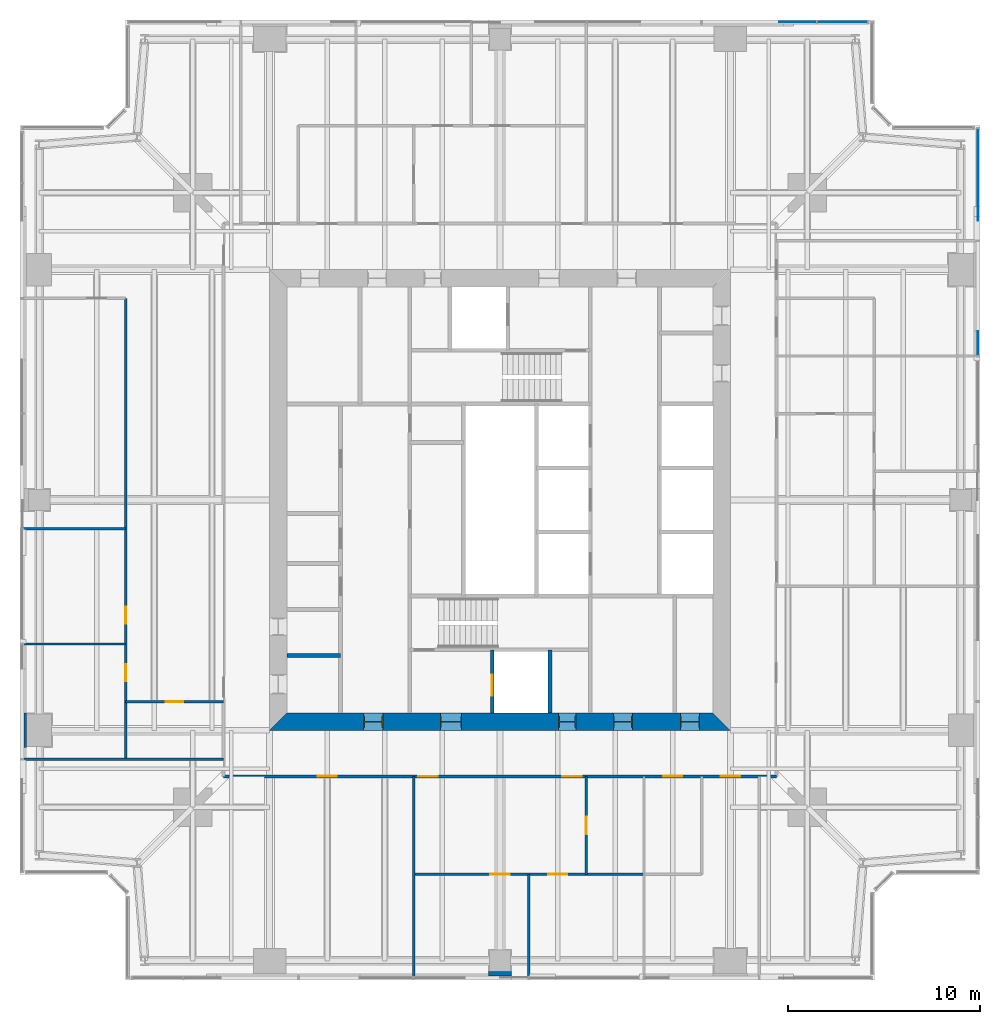
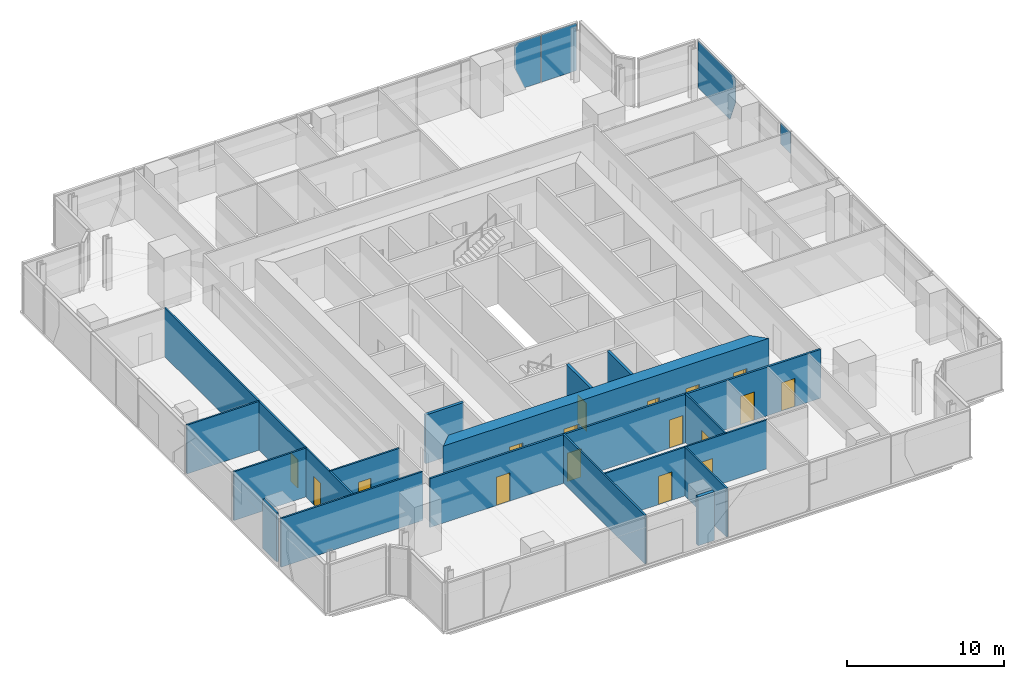
# One storey, part 9 of 15: 17 doors, 16 walls, 4 plates, 17 openings, 2 elements without a shape of their own.
"""IFC4 building model written with IfcOpenShell, lengths in metres."""

from ifc_helpers import new_model, si_unit, direction, frame, frame_2d, origin, origin_2d, place, context, subcontext, project, spatial, polyline, rectangle, outline, extrude, material, layer, layer_set, type_object, element, fill, aggregate, save


model = new_model("IFC4")

# Units and contexts
model_context = context("Model", 3, precision=1e-05, world=origin(), true_north=direction((0.0, 1.0)))
body_context = subcontext(model_context, "Body", "Model", "MODEL_VIEW")
ifc_project = project(units=[si_unit("LENGTHUNIT", "METRE"), si_unit("AREAUNIT", "SQUARE_METRE"), si_unit("VOLUMEUNIT", "CUBIC_METRE"), si_unit("PLANEANGLEUNIT", "RADIAN"), si_unit("MASSUNIT", "GRAM", prefix="KILO")], contexts=[model_context])

# Site, building, storey
site_placement = place(None, origin())
site = spatial("IfcSite", under=ifc_project, at=site_placement, CompositionType="ELEMENT")
building_placement = place(site_placement, origin())
building = spatial("IfcBuilding", under=site, at=building_placement, Name="Fenwick Lantern Interchange", CompositionType="ELEMENT")
storey_placement = place(building_placement, frame((0.0, 0.0, 229.800048828125)))
storey = spatial("IfcBuildingStorey", under=building, at=storey_placement, Name="L54", CompositionType="ELEMENT", Elevation=229.800048828125)

# Curtain wall, plates
ifc_material_1 = material(Name="Aluminium curtain wall frame", Category="aluminium")
curtain_wall_type = type_object("IfcCurtainWallType", Name="OFFICE CURTAIN WALL", PredefinedType="USERDEFINED", material=ifc_material_1)
curtain_wall_1_placement = place(storey_placement, origin())
curtain_wall_1 = element("IfcCurtainWall", 1, at=curtain_wall_1_placement, inside=storey, type_object=curtain_wall_type, Name="Office curtain wall 05", ObjectType="OFFICE CURTAIN WALL", PredefinedType="USERDEFINED")
ifc_material_2 = material(Name="Vision glass, clear low-iron double glazed", Category="glass")
ifc_layer_1 = layer(ifc_material_2, 0.031982421875)
ifc_layer_set_1 = layer_set([ifc_layer_1], Name="OFFICE CURTAIN WALL PANEL 32")
plate_type = type_object("IfcPlateType", Name="OFFICE CURTAIN WALL PANEL 32", PredefinedType="CURTAIN_PANEL", material=ifc_layer_set_1)
plate_1_placement = place(storey_placement, frame((49.89990234375, 5.60009765625, 2.02587890625), z_axis=(0.0, 0.0, 1.0), x_axis=(0.0, 1.0, 0.0)))
plate_1 = element("IfcPlate", 2, at=plate_1_placement, type_object=plate_type, Name="L54/CW/05/P05a", PredefinedType="CURTAIN_PANEL", context=body_context, shape_type="SweptSolid", body=[
    extrude(outline(polyline([(26.9326171875, 0.0), (28.197509765625, 0.0), (28.197509765625, 1.674072265625), (26.9326171875, 1.674072265625), (26.9326171875, 0.0)])), frame((0.0, 0.01611328125, 0.0), z_axis=(0.0, -1.0, 0.0), x_axis=(1.0, 0.0, 0.0)), (0.0, 0.0, 1.0), 0.031982421875),
])
plate_2_placement = place(storey_placement, frame((49.89990234375, 5.60009765625, 0.0), z_axis=(0.0, 0.0, 1.0), x_axis=(0.0, 1.0, 0.0)))
plate_2 = element("IfcPlate", 3, at=plate_2_placement, type_object=plate_type, Name="L54/CW/05/P06a", PredefinedType="CURTAIN_PANEL", context=body_context, shape_type="SweptSolid", body=[
    extrude(outline(polyline([(34.6865234375, 0.0), (38.735107421875, 0.0), (38.735107421875, 3.699951171875), (34.16259765625, 3.699951171875), (33.945556640625, 3.463134765625), (33.945556640625, 1.810791015625), (34.6865234375, 0.0)])), frame((0.0, 0.01611328125, 0.0), z_axis=(0.0, -1.0, 0.0), x_axis=(1.0, 0.0, 0.0)), (0.0, 0.0, 1.0), 0.031982421875),
])
aggregate(curtain_wall_1, [plate_1, plate_2])

curtain_wall_2_placement = place(storey_placement, origin())
curtain_wall_2 = element("IfcCurtainWall", 4, at=curtain_wall_2_placement, inside=storey, type_object=curtain_wall_type, Name="Office curtain wall 09", ObjectType="OFFICE CURTAIN WALL", PredefinedType="USERDEFINED")
plate_3_placement = place(storey_placement, frame((42.833740234375, 49.89990234375, 0.0), z_axis=(0.0, 0.0, 1.0), x_axis=(-1.0, 0.0, 0.0)))
plate_3 = element("IfcPlate", 5, at=plate_3_placement, type_object=plate_type, Name="L54/CW/09/P00", PredefinedType="CURTAIN_PANEL", context=body_context, shape_type="SweptSolid", body=[
    extrude(rectangle(XDim=2.6025390625, YDim=0.031982421875, at=origin_2d()), origin(), (0.0, 0.0, 1.0), 3.699951171875),
])
plate_4_placement = place(storey_placement, frame((44.39990234375, 49.89990234375, 0.0), z_axis=(0.0, 0.0, 1.0), x_axis=(-1.0, 0.0, 0.0)))
plate_4 = element("IfcPlate", 6, at=plate_4_placement, type_object=plate_type, Name="L54/CW/09/P01a", PredefinedType="CURTAIN_PANEL", context=body_context, shape_type="SweptSolid", body=[
    extrude(outline(polyline([(2.9326171875, 0.0), (4.11328125, 0.0), (4.8544921875, 1.810791015625), (4.8544921875, 3.463134765625), (4.637451171875, 3.699951171875), (2.9326171875, 3.699951171875), (2.9326171875, 0.0)])), frame((0.0, 0.01611328125, 0.0), z_axis=(0.0, -1.0, 0.0), x_axis=(1.0, 0.0, 0.0)), (0.0, 0.0, 1.0), 0.031982421875),
])
aggregate(curtain_wall_2, [plate_3, plate_4])

# Walls
ifc_material_3 = material(Name="Fire-rated gypsum board encasement on steel studs, 2 hour", Category="steel")
ifc_layer_2 = layer(ifc_material_3, 1.199951171875)
ifc_layer_set_2 = layer_set([ifc_layer_2], Name="COLUMN PIER 1200")
wall_type_1 = type_object("IfcWallType", Name="COLUMN PIER 1200", PredefinedType="PARTITIONING", material=ifc_layer_set_2)
wall_1_placement = place(storey_placement, frame((25.0, 0.199951171875, 0.0), z_axis=(0.0, 0.0, 1.0), x_axis=(0.0, 1.0, 0.0)))
element("IfcWall", 7, at=wall_1_placement, inside=storey, type_object=wall_type_1, Name="L54/W/PIER/CS3", PredefinedType="PARTITIONING", context=body_context, shape_type="SweptSolid", body=[
    extrude(rectangle(XDim=0.25, YDim=1.199951171875, at=frame_2d((0.125, 0.0))), origin(), (0.0, 0.0, 1.0), 3.800048828125),
])
ifc_layer_3 = layer(ifc_material_3, 1.800048828125)
ifc_layer_set_3 = layer_set([ifc_layer_3], Name="COLUMN PIER 1800")
wall_type_2 = type_object("IfcWallType", Name="COLUMN PIER 1800", PredefinedType="PARTITIONING", material=ifc_layer_set_3)
wall_2_placement = place(storey_placement, frame((0.199951171875, 13.0, 0.0), z_axis=(0.0, 0.0, 1.0), x_axis=(1.0, 0.0, 0.0)))
element("IfcWall", 8, at=wall_2_placement, inside=storey, type_object=wall_type_2, Name="L54/W/PIER/CW4", PredefinedType="PARTITIONING", context=body_context, shape_type="SweptSolid", body=[
    extrude(rectangle(XDim=0.150146484375, YDim=1.800048828125, at=frame_2d((0.0751953125, 0.0))), origin(), (0.0, 0.0, 1.0), 3.800048828125),
])

# Wall, opening, door
ifc_material_4 = material(Name="Concrete masonry ASTM C90 Grade N", Category="masonry")
ifc_layer_4 = layer(ifc_material_4, 0.199951171875)
ifc_layer_set_4 = layer_set([ifc_layer_4], Name="Concrete masonry ASTM C90 Grade N")
wall_type_3 = type_object("IfcWallType", Name="CORE PARTITION 200", PredefinedType="PARTITIONING", material=ifc_layer_set_4)
wall_3_placement = place(storey_placement, frame((24.60009765625, 13.89990234375, 0.0), z_axis=(0.0, 0.0, 1.0), x_axis=(0.0, 1.0, 0.0)))
wall_3 = element("IfcWall", 9, at=wall_3_placement, inside=storey, type_object=wall_type_3, Name="L54/W/CORES/h1", PredefinedType="PARTITIONING", context=body_context, shape_type="SweptSolid", body=[
    extrude(rectangle(XDim=3.300048828125, YDim=0.199951171875, at=frame_2d((1.64990234375, 0.0))), origin(), (0.0, 0.0, 1.0), 3.800048828125),
])
opening_1_placement = place(wall_3_placement, frame((0.89990234375, 0.0, 0.0)))
opening_1 = element("IfcOpeningElement", 10, at=opening_1_placement, cuts=wall_3, Name="Opening LD-FL1", PredefinedType="OPENING", context=body_context, shape_type="SweptSolid", body=[
    extrude(rectangle(XDim=1.10009765625, YDim=2.199951171875, at=frame_2d((0.550048828125, 1.10009765625))), frame((0.0, 0.10986328125, 0.0), z_axis=(0.0, -1.0, 0.0), x_axis=(1.0, 0.0, 0.0)), (0.0, 0.0, 1.0), 0.219970703125),
])
ifc_material_5 = material(Name="Steel door and frame", Category="steel")
door_type_1 = type_object("IfcDoorType", Name="LIFT LANDING DOOR 1100 X 2200", OperationType="DOUBLE_DOOR_SLIDING", PredefinedType="DOOR", material=ifc_material_5)
door_1_placement = place(opening_1_placement, origin())
door_1 = element("IfcDoor", 11, at=door_1_placement, inside=storey, type_object=door_type_1, Name="Lift landing door FL1", OperationType="DOUBLE_DOOR_SLIDING", OverallHeight=2.199951171875, OverallWidth=1.10009765625, PredefinedType="DOOR", context=body_context, shape_type="SweptSolid", body=[
    extrude(rectangle(XDim=1.10009765625, YDim=2.199951171875, at=frame_2d((0.550048828125, 1.10009765625))), frame((0.0, 0.02490234375, 0.0), z_axis=(0.0, -1.0, 0.0), x_axis=(1.0, 0.0, 0.0)), (0.0, 0.0, 1.0), 0.050048828125),
])
fill(opening_1, door_1)

# Walls
wall_4_placement = place(storey_placement, frame((27.60009765625, 13.89990234375, 0.0), z_axis=(0.0, 0.0, 1.0), x_axis=(0.0, 1.0, 0.0)))
element("IfcWall", 12, at=wall_4_placement, inside=storey, type_object=wall_type_3, Name="L54/W/CORES/h2", PredefinedType="PARTITIONING", context=body_context, shape_type="SweptSolid", body=[
    extrude(rectangle(XDim=3.300048828125, YDim=0.199951171875, at=frame_2d((1.64990234375, 0.0))), origin(), (0.0, 0.0, 1.0), 3.800048828125),
])
wall_5_placement = place(storey_placement, frame((13.89990234375, 16.89990234375, 0.0), z_axis=(0.0, 0.0, 1.0), x_axis=(1.0, 0.0, 0.0)))
element("IfcWall", 13, at=wall_5_placement, inside=storey, type_object=wall_type_3, Name="L54/W/CORES/p1", PredefinedType="PARTITIONING", context=body_context, shape_type="SweptSolid", body=[
    extrude(rectangle(XDim=2.800048828125, YDim=0.199951171875, at=frame_2d((1.39990234375, 0.0))), origin(), (0.0, 0.0, 1.0), 3.800048828125),
])

# Wall, openings, doors
ifc_material_6 = material(Name="Concrete f'c 70 MPa", Category="concrete")
ifc_layer_5 = layer(ifc_material_6, 0.89990234375)
ifc_layer_set_5 = layer_set([ifc_layer_5], Name="CORE WALL 900")
wall_type_4 = type_object("IfcWallType", Name="CORE WALL 900", PredefinedType="SHEAR", material=ifc_layer_set_5)
wall_6_placement = place(storey_placement, frame((13.0, 13.449951171875, 0.0), z_axis=(0.0, 0.0, 1.0), x_axis=(1.0, 0.0, 0.0)))
wall_6 = element("IfcWall", 14, at=wall_6_placement, inside=storey, type_object=wall_type_4, Name="L54/CORE/S", PredefinedType="SHEAR", context=body_context, shape_type="SweptSolid", body=[
    extrude(outline(polyline([(0.0, -0.449951171875), (24.0, -0.449951171875), (23.10009765625, 0.449951171875), (0.89990234375, 0.449951171875), (0.0, -0.449951171875)])), origin(), (0.0, 0.0, 1.0), 4.0),
])
opening_2_placement = place(wall_6_placement, frame((4.89990234375, 0.0, 0.0)))
opening_2 = element("IfcOpeningElement", 15, at=opening_2_placement, cuts=wall_6, Name="Opening L54-D001", PredefinedType="OPENING", context=body_context, shape_type="SweptSolid", body=[
    extrude(rectangle(XDim=1.0, YDim=2.199951171875, at=frame_2d((0.5, 1.10009765625))), frame((0.0, 0.4599609375, 0.0), z_axis=(0.0, -1.0, 0.0), x_axis=(1.0, 0.0, 0.0)), (0.0, 0.0, 1.0), 0.919921875),
])
opening_3_placement = place(wall_6_placement, frame((8.89990234375, 0.0, 0.0)))
opening_3 = element("IfcOpeningElement", 16, at=opening_3_placement, cuts=wall_6, Name="Opening L54-D002", PredefinedType="OPENING", context=body_context, shape_type="SweptSolid", body=[
    extrude(rectangle(XDim=1.10009765625, YDim=2.199951171875, at=frame_2d((0.550048828125, 1.10009765625))), frame((0.0, 0.4599609375, 0.0), z_axis=(0.0, -1.0, 0.0), x_axis=(1.0, 0.0, 0.0)), (0.0, 0.0, 1.0), 0.919921875),
])
opening_4_placement = place(wall_6_placement, frame((15.050048828125, 0.0, 0.0)))
opening_4 = element("IfcOpeningElement", 17, at=opening_4_placement, cuts=wall_6, Name="Opening L54-D004", PredefinedType="OPENING", context=body_context, shape_type="SweptSolid", body=[
    extrude(rectangle(XDim=0.89990234375, YDim=2.199951171875, at=frame_2d((0.449951171875, 1.10009765625))), frame((0.0, 0.4599609375, 0.0), z_axis=(0.0, -1.0, 0.0), x_axis=(1.0, 0.0, 0.0)), (0.0, 0.0, 1.0), 0.919921875),
])
opening_5_placement = place(wall_6_placement, frame((17.89990234375, 0.0, 0.0)))
opening_5 = element("IfcOpeningElement", 18, at=opening_5_placement, cuts=wall_6, Name="Opening L54-D005", PredefinedType="OPENING", context=body_context, shape_type="SweptSolid", body=[
    extrude(rectangle(XDim=1.0, YDim=2.199951171875, at=frame_2d((0.5, 1.10009765625))), frame((0.0, 0.4599609375, 0.0), z_axis=(0.0, -1.0, 0.0), x_axis=(1.0, 0.0, 0.0)), (0.0, 0.0, 1.0), 0.919921875),
])
opening_6_placement = place(wall_6_placement, frame((21.39990234375, 0.0, 0.0)))
opening_6 = element("IfcOpeningElement", 19, at=opening_6_placement, cuts=wall_6, Name="Opening L54-D006", PredefinedType="OPENING", context=body_context, shape_type="SweptSolid", body=[
    extrude(rectangle(XDim=1.0, YDim=2.199951171875, at=frame_2d((0.5, 1.10009765625))), frame((0.0, 0.4599609375, 0.0), z_axis=(0.0, -1.0, 0.0), x_axis=(1.0, 0.0, 0.0)), (0.0, 0.0, 1.0), 0.919921875),
])
door_type_2 = type_object("IfcDoorType", Name="CORE LOBBY DOOR 1000 X 2200", OperationType="SINGLE_SWING_LEFT", PredefinedType="DOOR", material=ifc_material_5)
door_2_placement = place(opening_2_placement, origin())
door_2 = element("IfcDoor", 20, at=door_2_placement, inside=storey, type_object=door_type_2, Name="Core lobby door", OperationType="SINGLE_SWING_LEFT", OverallHeight=2.199951171875, OverallWidth=1.0, PredefinedType="DOOR", context=body_context, shape_type="SweptSolid", body=[
    extrude(rectangle(XDim=1.0, YDim=2.199951171875, at=frame_2d((0.5, 1.10009765625))), frame((0.0, 0.02490234375, 0.0), z_axis=(0.0, -1.0, 0.0), x_axis=(1.0, 0.0, 0.0)), (0.0, 0.0, 1.0), 0.050048828125),
    extrude(outline(polyline([(0.0, 0.0), (0.0400390625, 0.0), (0.0400390625, 2.159912109375), (0.9599609375, 2.159912109375), (0.9599609375, 0.0), (1.0, 0.0), (1.0, 2.199951171875), (0.0, 2.199951171875), (0.0, 0.0)])), frame((0.0, 0.300048828125, 0.0), z_axis=(0.0, -1.0, 0.0), x_axis=(1.0, 0.0, 0.0)), (0.0, 0.0, 1.0), 0.60009765625),
])
fill(opening_2, door_2)
door_type_3 = type_object("IfcDoorType", Name="FIRE LOBBY DOOR 1100 X 2200", OperationType="SINGLE_SWING_LEFT", PredefinedType="DOOR", material=ifc_material_5)
door_3_placement = place(opening_3_placement, origin())
door_3 = element("IfcDoor", 21, at=door_3_placement, inside=storey, type_object=door_type_3, Name="Fire lobby door", OperationType="SINGLE_SWING_LEFT", OverallHeight=2.199951171875, OverallWidth=1.10009765625, PredefinedType="DOOR", context=body_context, shape_type="SweptSolid", body=[
    extrude(rectangle(XDim=1.10009765625, YDim=2.199951171875, at=frame_2d((0.550048828125, 1.10009765625))), frame((0.0, 0.02490234375, 0.0), z_axis=(0.0, -1.0, 0.0), x_axis=(1.0, 0.0, 0.0)), (0.0, 0.0, 1.0), 0.050048828125),
    extrude(outline(polyline([(0.0, 0.0), (0.0400390625, 0.0), (0.0400390625, 2.159912109375), (1.06005859375, 2.159912109375), (1.06005859375, 0.0), (1.10009765625, 0.0), (1.10009765625, 2.199951171875), (0.0, 2.199951171875), (0.0, 0.0)])), frame((0.0, 0.300048828125, 0.0), z_axis=(0.0, -1.0, 0.0), x_axis=(1.0, 0.0, 0.0)), (0.0, 0.0, 1.0), 0.60009765625),
])
fill(opening_3, door_3)
door_type_4 = type_object("IfcDoorType", Name="SERVICE DOOR 900 X 2200", OperationType="SINGLE_SWING_LEFT", PredefinedType="DOOR", material=ifc_material_5)
door_4_placement = place(opening_4_placement, origin())
door_4 = element("IfcDoor", 22, at=door_4_placement, inside=storey, type_object=door_type_4, Name="Service door", OperationType="SINGLE_SWING_LEFT", OverallHeight=2.199951171875, OverallWidth=0.89990234375, PredefinedType="DOOR", context=body_context, shape_type="SweptSolid", body=[
    extrude(rectangle(XDim=0.89990234375, YDim=2.199951171875, at=frame_2d((0.449951171875, 1.10009765625))), frame((0.0, 0.02490234375, 0.0), z_axis=(0.0, -1.0, 0.0), x_axis=(1.0, 0.0, 0.0)), (0.0, 0.0, 1.0), 0.050048828125),
    extrude(outline(polyline([(0.0, 0.0), (0.0400390625, 0.0), (0.0400390625, 2.159912109375), (0.85986328125, 2.159912109375), (0.85986328125, 0.0), (0.89990234375, 0.0), (0.89990234375, 2.199951171875), (0.0, 2.199951171875), (0.0, 0.0)])), frame((0.0, 0.300048828125, 0.0), z_axis=(0.0, -1.0, 0.0), x_axis=(1.0, 0.0, 0.0)), (0.0, 0.0, 1.0), 0.60009765625),
])
fill(opening_4, door_4)
ifc_material_7 = material(Name="Hardwood door and steel frame", Category="steel")
door_type_5 = type_object("IfcDoorType", Name="WC DOOR 1000 X 2200", OperationType="SINGLE_SWING_LEFT", PredefinedType="DOOR", material=ifc_material_7)
door_5_placement = place(opening_5_placement, origin())
door_5 = element("IfcDoor", 23, at=door_5_placement, inside=storey, type_object=door_type_5, Name="Wc door", OperationType="SINGLE_SWING_LEFT", OverallHeight=2.199951171875, OverallWidth=1.0, PredefinedType="DOOR", context=body_context, shape_type="SweptSolid", body=[
    extrude(rectangle(XDim=1.0, YDim=2.199951171875, at=frame_2d((0.5, 1.10009765625))), frame((0.0, 0.02490234375, 0.0), z_axis=(0.0, -1.0, 0.0), x_axis=(1.0, 0.0, 0.0)), (0.0, 0.0, 1.0), 0.050048828125),
    extrude(outline(polyline([(0.0, 0.0), (0.0400390625, 0.0), (0.0400390625, 2.159912109375), (0.9599609375, 2.159912109375), (0.9599609375, 0.0), (1.0, 0.0), (1.0, 2.199951171875), (0.0, 2.199951171875), (0.0, 0.0)])), frame((0.0, 0.300048828125, 0.0), z_axis=(0.0, -1.0, 0.0), x_axis=(1.0, 0.0, 0.0)), (0.0, 0.0, 1.0), 0.60009765625),
])
fill(opening_5, door_5)
door_6_placement = place(opening_6_placement, origin())
door_6 = element("IfcDoor", 24, at=door_6_placement, inside=storey, type_object=door_type_5, Name="Wc door", OperationType="SINGLE_SWING_LEFT", OverallHeight=2.199951171875, OverallWidth=1.0, PredefinedType="DOOR", context=body_context, shape_type="SweptSolid", body=[
    extrude(rectangle(XDim=1.0, YDim=2.199951171875, at=frame_2d((0.5, 1.10009765625))), frame((0.0, 0.02490234375, 0.0), z_axis=(0.0, -1.0, 0.0), x_axis=(1.0, 0.0, 0.0)), (0.0, 0.0, 1.0), 0.050048828125),
    extrude(outline(polyline([(0.0, 0.0), (0.0400390625, 0.0), (0.0400390625, 2.159912109375), (0.9599609375, 2.159912109375), (0.9599609375, 0.0), (1.0, 0.0), (1.0, 2.199951171875), (0.0, 2.199951171875), (0.0, 0.0)])), frame((0.0, 0.300048828125, 0.0), z_axis=(0.0, -1.0, 0.0), x_axis=(1.0, 0.0, 0.0)), (0.0, 0.0, 1.0), 0.60009765625),
])
fill(opening_6, door_6)

ifc_material_8 = material(Name="Gypsum board on steel studs, 1 hour", Category="steel")
ifc_layer_6 = layer(ifc_material_8, 0.14990234375)
ifc_layer_set_6 = layer_set([ifc_layer_6], Name="CORRIDOR WALL 150")
wall_type_5 = type_object("IfcWallType", Name="CORRIDOR WALL 150", PredefinedType="PARTITIONING", material=ifc_layer_set_6)
wall_7_placement = place(storey_placement, frame((10.60009765625, 10.60009765625, 0.0), z_axis=(0.0, 0.0, 1.0), x_axis=(1.0, 0.0, 0.0)))
wall_7 = element("IfcWall", 25, at=wall_7_placement, inside=storey, type_object=wall_type_5, Name="L54/W/OFF/S/CW2", PredefinedType="PARTITIONING", context=body_context, shape_type="SweptSolid", body=[
    extrude(rectangle(XDim=28.7998046875, YDim=0.14990234375, at=frame_2d((14.39990234375, 0.0))), origin(), (0.0, 0.0, 1.0), 3.800048828125),
])
opening_7_placement = place(wall_7_placement, frame((10.14990234375, 0.0, 0.0)))
opening_7 = element("IfcOpeningElement", 26, at=opening_7_placement, cuts=wall_7, Name="Opening L54-D022", PredefinedType="OPENING", context=body_context, shape_type="SweptSolid", body=[
    extrude(rectangle(XDim=1.0, YDim=2.199951171875, at=frame_2d((0.5, 1.10009765625))), frame((0.0, 0.0849609375, 0.0), z_axis=(0.0, -1.0, 0.0), x_axis=(1.0, 0.0, 0.0)), (0.0, 0.0, 1.0), 0.169921875),
])
opening_8_placement = place(wall_7_placement, frame((17.64990234375, 0.0, 0.0)))
opening_8 = element("IfcOpeningElement", 27, at=opening_8_placement, cuts=wall_7, Name="Opening L54-D023", PredefinedType="OPENING", context=body_context, shape_type="SweptSolid", body=[
    extrude(rectangle(XDim=1.0, YDim=2.199951171875, at=frame_2d((0.5, 1.10009765625))), frame((0.0, 0.0849609375, 0.0), z_axis=(0.0, -1.0, 0.0), x_axis=(1.0, 0.0, 0.0)), (0.0, 0.0, 1.0), 0.169921875),
])
opening_9_placement = place(wall_7_placement, frame((4.89990234375, 0.0, 0.0)))
opening_9 = element("IfcOpeningElement", 28, at=opening_9_placement, cuts=wall_7, Name="Opening L54-D027", PredefinedType="OPENING", context=body_context, shape_type="SweptSolid", body=[
    extrude(rectangle(XDim=1.0, YDim=2.199951171875, at=frame_2d((0.5, 1.10009765625))), frame((0.0, 0.0849609375, 0.0), z_axis=(0.0, -1.0, 0.0), x_axis=(1.0, 0.0, 0.0)), (0.0, 0.0, 1.0), 0.169921875),
])
opening_10_placement = place(wall_7_placement, frame((22.89990234375, 0.0, 0.0)))
opening_10 = element("IfcOpeningElement", 29, at=opening_10_placement, cuts=wall_7, Name="Opening L54-D028", PredefinedType="OPENING", context=body_context, shape_type="SweptSolid", body=[
    extrude(rectangle(XDim=1.0, YDim=2.199951171875, at=frame_2d((0.5, 1.10009765625))), frame((0.0, 0.0849609375, 0.0), z_axis=(0.0, -1.0, 0.0), x_axis=(1.0, 0.0, 0.0)), (0.0, 0.0, 1.0), 0.169921875),
])
opening_11_placement = place(wall_7_placement, frame((25.89990234375, 0.0, 0.0)))
opening_11 = element("IfcOpeningElement", 30, at=opening_11_placement, cuts=wall_7, Name="Opening L54-D029", PredefinedType="OPENING", context=body_context, shape_type="SweptSolid", body=[
    extrude(rectangle(XDim=1.0, YDim=2.199951171875, at=frame_2d((0.5, 1.10009765625))), frame((0.0, 0.0849609375, 0.0), z_axis=(0.0, -1.0, 0.0), x_axis=(1.0, 0.0, 0.0)), (0.0, 0.0, 1.0), 0.169921875),
])
door_type_6 = type_object("IfcDoorType", Name="SUITE ENTRANCE DOOR 1000 X 2200", OperationType="SINGLE_SWING_LEFT", PredefinedType="DOOR", material=ifc_material_5)
door_7_placement = place(opening_7_placement, origin())
door_7 = element("IfcDoor", 31, at=door_7_placement, inside=storey, type_object=door_type_6, Name="Suite entrance door", OperationType="SINGLE_SWING_LEFT", OverallHeight=2.199951171875, OverallWidth=1.0, PredefinedType="DOOR", context=body_context, shape_type="SweptSolid", body=[
    extrude(rectangle(XDim=1.0, YDim=2.199951171875, at=frame_2d((0.5, 1.10009765625))), frame((0.0, 0.02490234375, 0.0), z_axis=(0.0, -1.0, 0.0), x_axis=(1.0, 0.0, 0.0)), (0.0, 0.0, 1.0), 0.050048828125),
])
fill(opening_7, door_7)
door_8_placement = place(opening_8_placement, origin())
door_8 = element("IfcDoor", 32, at=door_8_placement, inside=storey, type_object=door_type_6, Name="Suite entrance door", OperationType="SINGLE_SWING_RIGHT", OverallHeight=2.199951171875, OverallWidth=1.0, PredefinedType="DOOR", context=body_context, shape_type="SweptSolid", body=[
    extrude(rectangle(XDim=1.0, YDim=2.199951171875, at=frame_2d((0.5, 1.10009765625))), frame((0.0, 0.02490234375, 0.0), z_axis=(0.0, -1.0, 0.0), x_axis=(1.0, 0.0, 0.0)), (0.0, 0.0, 1.0), 0.050048828125),
])
fill(opening_8, door_8)
door_9_placement = place(opening_9_placement, frame((1.0, 0.0, 0.0), z_axis=(0.0, 0.0, 1.0), x_axis=(-1.0, 0.0, 0.0)))
door_9 = element("IfcDoor", 33, at=door_9_placement, inside=storey, type_object=door_type_6, Name="Suite entrance door", OperationType="SINGLE_SWING_LEFT", OverallHeight=2.199951171875, OverallWidth=1.0, PredefinedType="DOOR", context=body_context, shape_type="SweptSolid", body=[
    extrude(rectangle(XDim=1.0, YDim=2.199951171875, at=frame_2d((0.5, 1.10009765625))), frame((0.0, 0.02490234375, 0.0), z_axis=(0.0, -1.0, 0.0), x_axis=(1.0, 0.0, 0.0)), (0.0, 0.0, 1.0), 0.050048828125),
])
fill(opening_9, door_9)
door_10_placement = place(opening_10_placement, frame((1.0, 0.0, 0.0), z_axis=(0.0, 0.0, 1.0), x_axis=(-1.0, 0.0, 0.0)))
door_10 = element("IfcDoor", 34, at=door_10_placement, inside=storey, type_object=door_type_6, Name="Suite entrance door", OperationType="SINGLE_SWING_RIGHT", OverallHeight=2.199951171875, OverallWidth=1.0, PredefinedType="DOOR", context=body_context, shape_type="SweptSolid", body=[
    extrude(rectangle(XDim=1.0, YDim=2.199951171875, at=frame_2d((0.5, 1.10009765625))), frame((0.0, 0.02490234375, 0.0), z_axis=(0.0, -1.0, 0.0), x_axis=(1.0, 0.0, 0.0)), (0.0, 0.0, 1.0), 0.050048828125),
])
fill(opening_10, door_10)
door_11_placement = place(opening_11_placement, frame((1.0, 0.0, 0.0), z_axis=(0.0, 0.0, 1.0), x_axis=(-1.0, 0.0, 0.0)))
door_11 = element("IfcDoor", 35, at=door_11_placement, inside=storey, type_object=door_type_6, Name="Suite entrance door", OperationType="SINGLE_SWING_RIGHT", OverallHeight=2.199951171875, OverallWidth=1.0, PredefinedType="DOOR", context=body_context, shape_type="SweptSolid", body=[
    extrude(rectangle(XDim=1.0, YDim=2.199951171875, at=frame_2d((0.5, 1.10009765625))), frame((0.0, 0.02490234375, 0.0), z_axis=(0.0, -1.0, 0.0), x_axis=(1.0, 0.0, 0.0)), (0.0, 0.0, 1.0), 0.050048828125),
])
fill(opening_11, door_11)

# Walls
ifc_material_9 = material(Name="Gypsum board on steel studs, acoustic", Category="steel")
ifc_layer_7 = layer(ifc_material_9, 0.125)
ifc_layer_set_7 = layer_set([ifc_layer_7], Name="OFFICE PARTITION 125")
wall_type_6 = type_object("IfcWallType", Name="OFFICE PARTITION 125", PredefinedType="PARTITIONING", material=ifc_layer_set_7)
for number, where, z_axis, x_axis, name in (
    (36, (0.14990234375, 11.5, 0.0), (0.0, 0.0, 1.0), (1.0, 0.0, 0.0), "L54/W/OFF/S/BACK"),
    (37, (20.5, 0.14990234375, 0.0), (0.0, 0.0, 1.0), (0.0, 1.0, 0.0), "L54/W/OFF/S/X205-1"),
):
    element("IfcWall", number, at=place(storey_placement, frame(where, z_axis=z_axis, x_axis=x_axis)), inside=storey, type_object=wall_type_6, Name=name, PredefinedType="PARTITIONING", context=body_context, shape_type="SweptSolid", body=[
        extrude(rectangle(XDim=10.4501953125, YDim=0.125, at=frame_2d((5.22509765625, 0.0))), origin(), (0.0, 0.0, 1.0), 3.800048828125),
    ])
wall_8_placement = place(storey_placement, frame((26.5, 0.14990234375, 0.0), z_axis=(0.0, 0.0, 1.0), x_axis=(0.0, 1.0, 0.0)))
element("IfcWall", 38, at=wall_8_placement, inside=storey, type_object=wall_type_6, Name="L54/W/OFF/S/X265-1", PredefinedType="PARTITIONING", context=body_context, shape_type="SweptSolid", body=[
    extrude(rectangle(XDim=5.35009765625, YDim=0.125, at=frame_2d((2.675048828125, 0.0))), origin(), (0.0, 0.0, 1.0), 3.800048828125),
])

# Wall, opening, door
wall_9_placement = place(storey_placement, frame((29.5, 5.5, 0.0), z_axis=(0.0, 0.0, 1.0), x_axis=(0.0, 1.0, 0.0)))
wall_9 = element("IfcWall", 39, at=wall_9_placement, inside=storey, type_object=wall_type_6, Name="L54/W/OFF/S/X295-1", PredefinedType="PARTITIONING", context=body_context, shape_type="SweptSolid", body=[
    extrude(rectangle(XDim=5.10009765625, YDim=0.125, at=frame_2d((2.550048828125, 0.0))), origin(), (0.0, 0.0, 1.0), 3.800048828125),
])
opening_12_placement = place(wall_9_placement, frame((2.10009765625, 0.0, 0.0)))
opening_12 = element("IfcOpeningElement", 40, at=opening_12_placement, cuts=wall_9, Name="Opening L54-D026", PredefinedType="OPENING", context=body_context, shape_type="SweptSolid", body=[
    extrude(rectangle(XDim=0.89990234375, YDim=2.199951171875, at=frame_2d((0.449951171875, 1.10009765625))), frame((0.0, 0.072509765625, 0.0), z_axis=(0.0, -1.0, 0.0), x_axis=(1.0, 0.0, 0.0)), (0.0, 0.0, 1.0), 0.14501953125),
])
door_type_7 = type_object("IfcDoorType", Name="OFFICE DOOR 900 X 2200", OperationType="SINGLE_SWING_LEFT", PredefinedType="DOOR", material=ifc_material_7)
door_12_placement = place(opening_12_placement, frame((0.89990234375, 0.0, 0.0), z_axis=(0.0, 0.0, 1.0), x_axis=(-1.0, 0.0, 0.0)))
door_12 = element("IfcDoor", 41, at=door_12_placement, inside=storey, type_object=door_type_7, Name="Office door", OperationType="SINGLE_SWING_RIGHT", OverallHeight=2.199951171875, OverallWidth=0.89990234375, PredefinedType="DOOR", context=body_context, shape_type="SweptSolid", body=[
    extrude(rectangle(XDim=0.89990234375, YDim=2.199951171875, at=frame_2d((0.449951171875, 1.10009765625))), frame((0.0, 0.02490234375, 0.0), z_axis=(0.0, -1.0, 0.0), x_axis=(1.0, 0.0, 0.0)), (0.0, 0.0, 1.0), 0.050048828125),
])
fill(opening_12, door_12)

# Wall, openings, doors
wall_10_placement = place(storey_placement, frame((20.5, 5.5, 0.0), z_axis=(0.0, 0.0, 1.0), x_axis=(1.0, 0.0, 0.0)))
wall_10 = element("IfcWall", 42, at=wall_10_placement, inside=storey, type_object=wall_type_6, Name="L54/W/OFF/S/Y55-1", PredefinedType="PARTITIONING", context=body_context, shape_type="SweptSolid", body=[
    extrude(rectangle(XDim=12.0, YDim=0.125, at=frame_2d((6.0, 0.0))), origin(), (0.0, 0.0, 1.0), 3.800048828125),
])
opening_13_placement = place(wall_10_placement, frame((4.0, 0.0, 0.0)))
opening_13 = element("IfcOpeningElement", 43, at=opening_13_placement, cuts=wall_10, Name="Opening L54-D024", PredefinedType="OPENING", context=body_context, shape_type="SweptSolid", body=[
    extrude(rectangle(XDim=1.0, YDim=2.199951171875, at=frame_2d((0.5, 1.10009765625))), frame((0.0, 0.072509765625, 0.0), z_axis=(0.0, -1.0, 0.0), x_axis=(1.0, 0.0, 0.0)), (0.0, 0.0, 1.0), 0.14501953125),
])
opening_14_placement = place(wall_10_placement, frame((7.0, 0.0, 0.0)))
opening_14 = element("IfcOpeningElement", 44, at=opening_14_placement, cuts=wall_10, Name="Opening L54-D025", PredefinedType="OPENING", context=body_context, shape_type="SweptSolid", body=[
    extrude(rectangle(XDim=1.0, YDim=2.199951171875, at=frame_2d((0.5, 1.10009765625))), frame((0.0, 0.072509765625, 0.0), z_axis=(0.0, -1.0, 0.0), x_axis=(1.0, 0.0, 0.0)), (0.0, 0.0, 1.0), 0.14501953125),
])
door_type_8 = type_object("IfcDoorType", Name="MEETING ROOM DOOR 1000 X 2200", OperationType="SINGLE_SWING_LEFT", PredefinedType="DOOR", material=ifc_material_7)
door_13_placement = place(opening_13_placement, frame((1.0, 0.0, 0.0), z_axis=(0.0, 0.0, 1.0), x_axis=(-1.0, 0.0, 0.0)))
door_13 = element("IfcDoor", 45, at=door_13_placement, inside=storey, type_object=door_type_8, Name="Meeting room door", OperationType="SINGLE_SWING_LEFT", OverallHeight=2.199951171875, OverallWidth=1.0, PredefinedType="DOOR", context=body_context, shape_type="SweptSolid", body=[
    extrude(rectangle(XDim=1.0, YDim=2.199951171875, at=frame_2d((0.5, 1.10009765625))), frame((0.0, 0.02490234375, 0.0), z_axis=(0.0, -1.0, 0.0), x_axis=(1.0, 0.0, 0.0)), (0.0, 0.0, 1.0), 0.050048828125),
])
fill(opening_13, door_13)
door_14_placement = place(opening_14_placement, frame((1.0, 0.0, 0.0), z_axis=(0.0, 0.0, 1.0), x_axis=(-1.0, 0.0, 0.0)))
door_14 = element("IfcDoor", 46, at=door_14_placement, inside=storey, type_object=door_type_8, Name="Meeting room door", OperationType="SINGLE_SWING_RIGHT", OverallHeight=2.199951171875, OverallWidth=1.0, PredefinedType="DOOR", context=body_context, shape_type="SweptSolid", body=[
    extrude(rectangle(XDim=1.0, YDim=2.199951171875, at=frame_2d((0.5, 1.10009765625))), frame((0.0, 0.02490234375, 0.0), z_axis=(0.0, -1.0, 0.0), x_axis=(1.0, 0.0, 0.0)), (0.0, 0.0, 1.0), 0.050048828125),
])
fill(opening_14, door_14)

# Walls
for number, where, z_axis, x_axis, name in (
    (47, (0.14990234375, 23.5, 0.0), (0.0, 0.0, 1.0), (1.0, 0.0, 0.0), "L54/W/OFF/W/X265-1"),
    (48, (0.14990234375, 17.5, 0.0), (0.0, 0.0, 1.0), (1.0, 0.0, 0.0), "L54/W/OFF/W/X325-1"),
):
    element("IfcWall", number, at=place(storey_placement, frame(where, z_axis=z_axis, x_axis=x_axis)), inside=storey, type_object=wall_type_6, Name=name, PredefinedType="PARTITIONING", context=body_context, shape_type="SweptSolid", body=[
        extrude(rectangle(XDim=5.35009765625, YDim=0.125, at=frame_2d((2.675048828125, 0.0))), origin(), (0.0, 0.0, 1.0), 3.800048828125),
    ])

# Wall, opening, door
wall_11_placement = place(storey_placement, frame((5.5, 14.5, 0.0), z_axis=(0.0, 0.0, 1.0), x_axis=(1.0, 0.0, 0.0)))
wall_11 = element("IfcWall", 49, at=wall_11_placement, inside=storey, type_object=wall_type_6, Name="L54/W/OFF/W/X355-1", PredefinedType="PARTITIONING", context=body_context, shape_type="SweptSolid", body=[
    extrude(rectangle(XDim=5.10009765625, YDim=0.125, at=frame_2d((2.550048828125, 0.0))), origin(), (0.0, 0.0, 1.0), 3.800048828125),
])
opening_15_placement = place(wall_11_placement, frame((2.10009765625, 0.0, 0.0)))
opening_15 = element("IfcOpeningElement", 50, at=opening_15_placement, cuts=wall_11, Name="Opening L54-D051", PredefinedType="OPENING", context=body_context, shape_type="SweptSolid", body=[
    extrude(rectangle(XDim=0.89990234375, YDim=2.199951171875, at=frame_2d((0.449951171875, 1.10009765625))), frame((0.0, 0.072509765625, 0.0), z_axis=(0.0, -1.0, 0.0), x_axis=(1.0, 0.0, 0.0)), (0.0, 0.0, 1.0), 0.14501953125),
])
door_15_placement = place(opening_15_placement, frame((0.89990234375, 0.0, 0.0), z_axis=(0.0, 0.0, 1.0), x_axis=(-1.0, 0.0, 0.0)))
door_15 = element("IfcDoor", 51, at=door_15_placement, inside=storey, type_object=door_type_7, Name="Office door", OperationType="SINGLE_SWING_RIGHT", OverallHeight=2.199951171875, OverallWidth=0.89990234375, PredefinedType="DOOR", context=body_context, shape_type="SweptSolid", body=[
    extrude(rectangle(XDim=0.89990234375, YDim=2.199951171875, at=frame_2d((0.449951171875, 1.10009765625))), frame((0.0, 0.02490234375, 0.0), z_axis=(0.0, -1.0, 0.0), x_axis=(1.0, 0.0, 0.0)), (0.0, 0.0, 1.0), 0.050048828125),
])
fill(opening_15, door_15)

# Wall, openings, doors
wall_12_placement = place(storey_placement, frame((5.5, 35.5, 0.0), z_axis=(0.0, 0.0, 1.0), x_axis=(0.0, -1.0, 0.0)))
wall_12 = element("IfcWall", 52, at=wall_12_placement, inside=storey, type_object=wall_type_6, Name="L54/W/OFF/W/Y55-1", PredefinedType="PARTITIONING", context=body_context, shape_type="SweptSolid", body=[
    extrude(rectangle(XDim=24.0, YDim=0.125, at=frame_2d((12.0, 0.0))), origin(), (0.0, 0.0, 1.0), 3.800048828125),
])
opening_16_placement = place(wall_12_placement, frame((16.050048828125, 0.0, 0.0)))
opening_16 = element("IfcOpeningElement", 53, at=opening_16_placement, cuts=wall_12, Name="Opening L54-D049", PredefinedType="OPENING", context=body_context, shape_type="SweptSolid", body=[
    extrude(rectangle(XDim=0.89990234375, YDim=2.199951171875, at=frame_2d((0.449951171875, 1.10009765625))), frame((0.0, 0.072509765625, 0.0), z_axis=(0.0, -1.0, 0.0), x_axis=(1.0, 0.0, 0.0)), (0.0, 0.0, 1.0), 0.14501953125),
])
opening_17_placement = place(wall_12_placement, frame((19.050048828125, 0.0, 0.0)))
opening_17 = element("IfcOpeningElement", 54, at=opening_17_placement, cuts=wall_12, Name="Opening L54-D050", PredefinedType="OPENING", context=body_context, shape_type="SweptSolid", body=[
    extrude(rectangle(XDim=0.89990234375, YDim=2.199951171875, at=frame_2d((0.449951171875, 1.10009765625))), frame((0.0, 0.072509765625, 0.0), z_axis=(0.0, -1.0, 0.0), x_axis=(1.0, 0.0, 0.0)), (0.0, 0.0, 1.0), 0.14501953125),
])
door_16_placement = place(opening_16_placement, frame((0.89990234375, 0.0, 0.0), z_axis=(0.0, 0.0, 1.0), x_axis=(-1.0, 0.0, 0.0)))
door_16 = element("IfcDoor", 55, at=door_16_placement, inside=storey, type_object=door_type_7, Name="Office door", OperationType="SINGLE_SWING_LEFT", OverallHeight=2.199951171875, OverallWidth=0.89990234375, PredefinedType="DOOR", context=body_context, shape_type="SweptSolid", body=[
    extrude(rectangle(XDim=0.89990234375, YDim=2.199951171875, at=frame_2d((0.449951171875, 1.10009765625))), frame((0.0, 0.02490234375, 0.0), z_axis=(0.0, -1.0, 0.0), x_axis=(1.0, 0.0, 0.0)), (0.0, 0.0, 1.0), 0.050048828125),
])
fill(opening_16, door_16)
door_17_placement = place(opening_17_placement, frame((0.89990234375, 0.0, 0.0), z_axis=(0.0, 0.0, 1.0), x_axis=(-1.0, 0.0, 0.0)))
door_17 = element("IfcDoor", 56, at=door_17_placement, inside=storey, type_object=door_type_7, Name="Office door", OperationType="SINGLE_SWING_RIGHT", OverallHeight=2.199951171875, OverallWidth=0.89990234375, PredefinedType="DOOR", context=body_context, shape_type="SweptSolid", body=[
    extrude(rectangle(XDim=0.89990234375, YDim=2.199951171875, at=frame_2d((0.449951171875, 1.10009765625))), frame((0.0, 0.02490234375, 0.0), z_axis=(0.0, -1.0, 0.0), x_axis=(1.0, 0.0, 0.0)), (0.0, 0.0, 1.0), 0.050048828125),
])
fill(opening_17, door_17)

save(model, "model.ifc")
